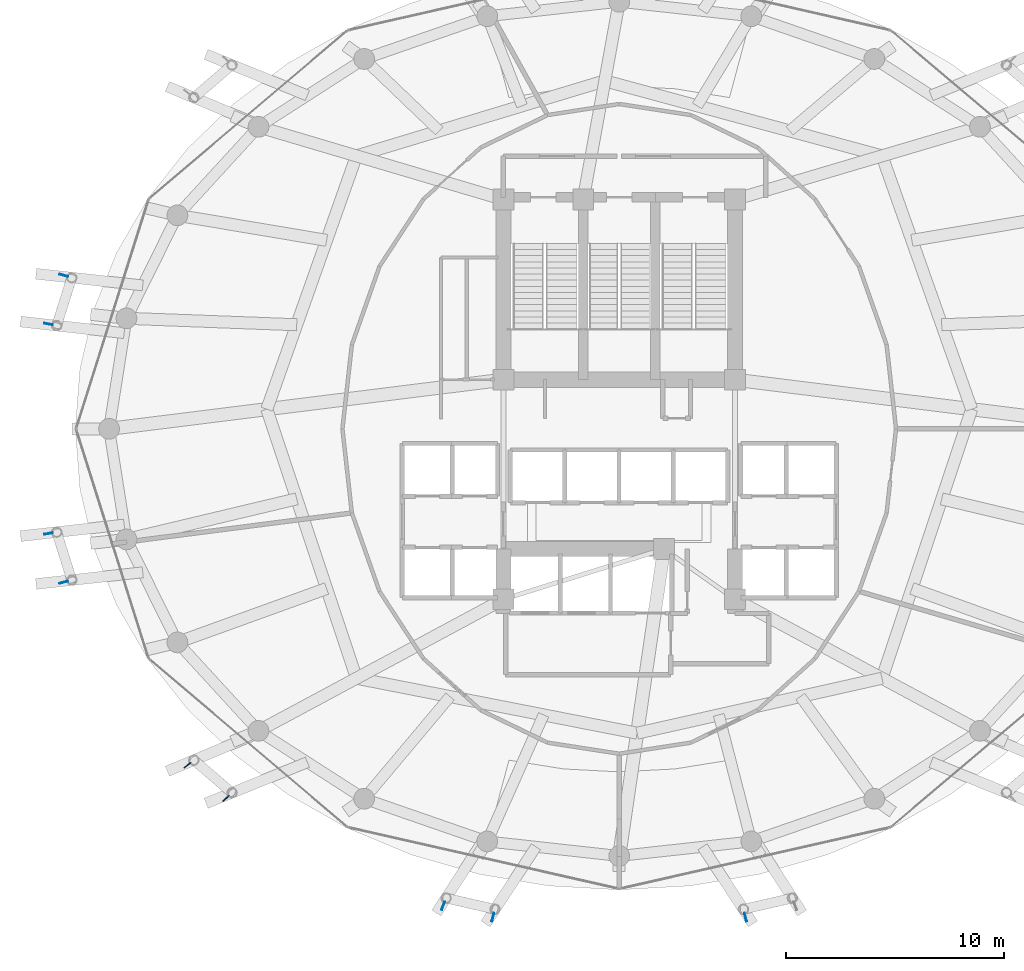
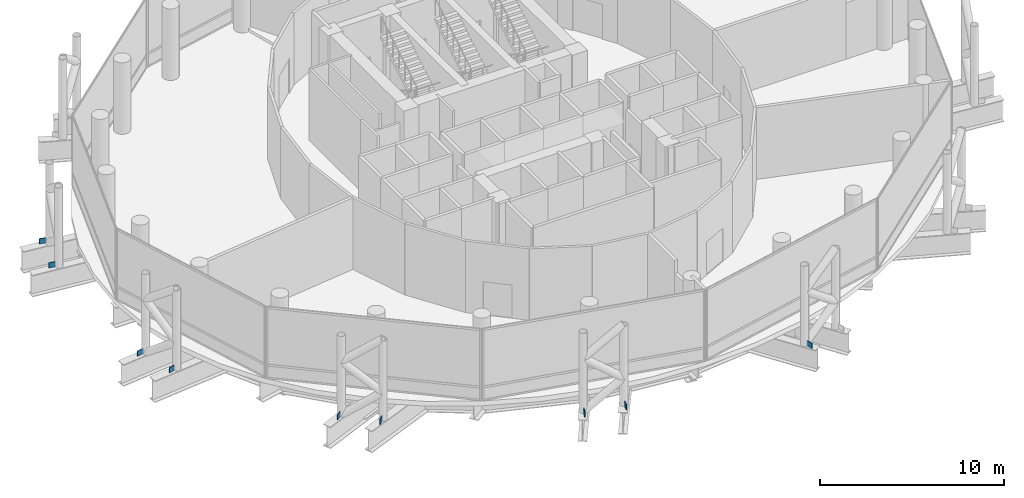
# One storey, part 25 of 29: 9 discrete accessories.
"""IFC4 building model written with IfcOpenShell, lengths in metres."""

from ifc_helpers import new_model, si_unit, direction, frame, origin, origin_2d, place, context, subcontext, project, spatial, rectangle, extrude, material, type_object, element, save


model = new_model("IFC4")

# Units and contexts
model_context = context("Model", 3, precision=1e-05, world=origin(), true_north=direction((0.0, 1.0)))
body_context = subcontext(model_context, "Body", "Model", "MODEL_VIEW")
ifc_project = project(units=[si_unit("LENGTHUNIT", "METRE"), si_unit("AREAUNIT", "SQUARE_METRE"), si_unit("VOLUMEUNIT", "CUBIC_METRE"), si_unit("PLANEANGLEUNIT", "RADIAN"), si_unit("MASSUNIT", "GRAM", prefix="KILO")], contexts=[model_context])

# Site, building, storey
site_placement = place(None, origin())
site = spatial("IfcSite", under=ifc_project, at=site_placement, CompositionType="ELEMENT")
building_placement = place(site_placement, origin())
building = spatial("IfcBuilding", under=site, at=building_placement, Name="Nuhasar Tower", CompositionType="ELEMENT")
storey_placement = place(building_placement, frame((0.0, 0.0, 113.25)))
storey = spatial("IfcBuildingStorey", under=building, at=storey_placement, Name="L26", CompositionType="ELEMENT", Elevation=113.25)

# Discrete accessories
ifc_material = material(Name="Steel S460", Category="steel")
discrete_accessory_type = type_object("IfcDiscreteAccessoryType", Name="ACC-GUS-40", PredefinedType="USERDEFINED", material=ifc_material)
for number, where, z_axis, x_axis, name in (
    (1, (13.574951171875, 33.822021484375, -0.320068359375), (0.0, 0.0, 1.0), (-0.963914422589, 0.266212294842, 0.0), "L26 Exoskeleton Chord Column EC-06A Gusset Plate"),
    (2, (12.8798828125, 31.593994140625, -0.320068359375), (0.0, 0.0, 1.0), (-0.98356832001, 0.180536311784, 0.0), "L26 Exoskeleton Chord Column EC-06B Gusset Plate"),
    (3, (12.8798828125, 22.006103515625, -0.320068359375), (0.0, 0.0, 1.0), (-0.98356832001, -0.180536311784, 0.0), "L26 Exoskeleton Chord Column EC-07A Gusset Plate"),
    (4, (13.574951171875, 19.778076171875, -0.320068359375), (0.0, 0.0, 1.0), (-0.963914422589, -0.266212294842, 0.0), "L26 Exoskeleton Chord Column EC-07B Gusset Plate"),
    (5, (19.22998046875, 11.405029296875, -0.320068359375), (0.0, 0.0, 1.0), (-0.788998306749, -0.614395371034, 0.0), "L26 Exoskeleton Chord Column EC-08A Gusset Plate"),
    (6, (21.0009765625, 9.884033203125, -0.320068359375), (0.0, 0.0, 1.0), (-0.728681821056, -0.684852395529, 0.0), "L26 Exoskeleton Chord Column EC-08B Gusset Plate"),
    (7, (30.94091796875, 4.968994140625, -0.320068359375), (0.0, 0.0, 1.0), (-0.346313543819, -0.938118824759, 0.0), "L26 Exoskeleton Chord Column EC-09A Gusset Plate"),
    (8, (33.218994140625, 4.443115234375, -0.320068359375), (0.0, 0.0, 1.0), (-0.250346209174, -0.968156379699, 0.0), "L26 Exoskeleton Chord Column EC-09B Gusset Plate"),
    (9, (44.781005859375, 4.443115234375, -0.320068359375), (0.0, 0.0, 1.0), (0.250346209174, -0.968156379699, 0.0), "L26 Exoskeleton Chord Column EC-10A Gusset Plate"),
):
    element("IfcDiscreteAccessory", number, at=place(storey_placement, frame(where, z_axis=z_axis, x_axis=x_axis)), inside=storey, type_object=discrete_accessory_type, Name=name, ObjectType="STEEL_GUSSET_PLATE", PredefinedType="USERDEFINED", context=body_context, shape_type="SweptSolid", body=[
        extrude(rectangle(XDim=0.39990234375, YDim=0.0400390625, at=origin_2d()), origin(), (0.0, 0.0, 1.0), 0.35009765625),
    ])

save(model, "model.ifc")
